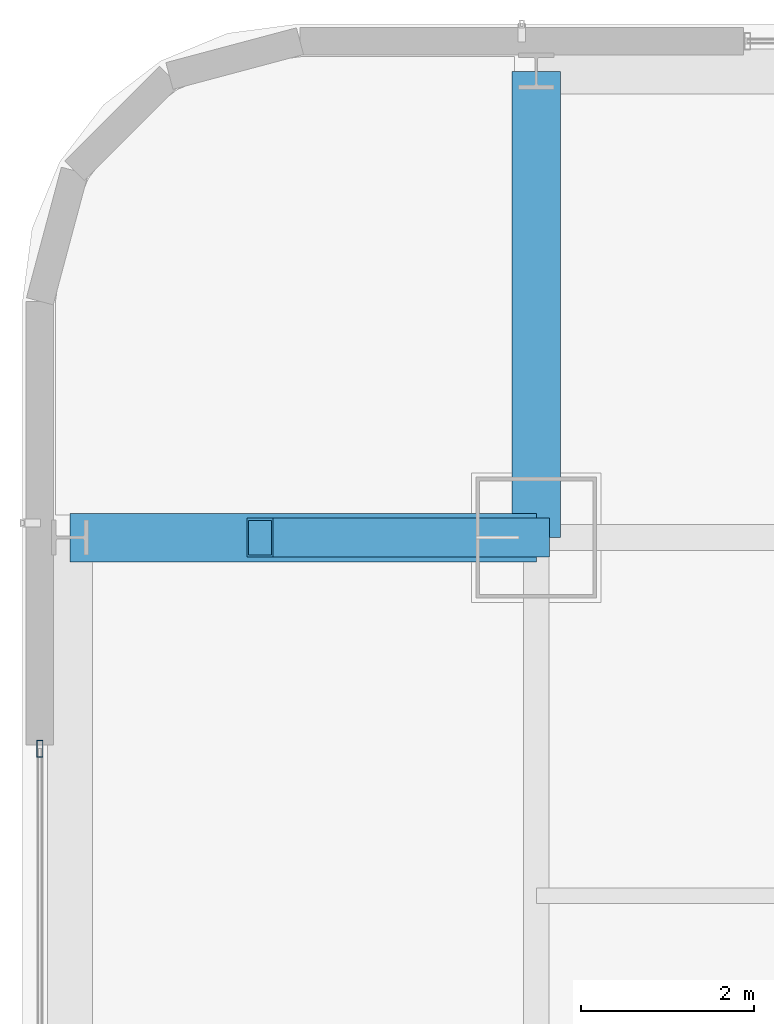
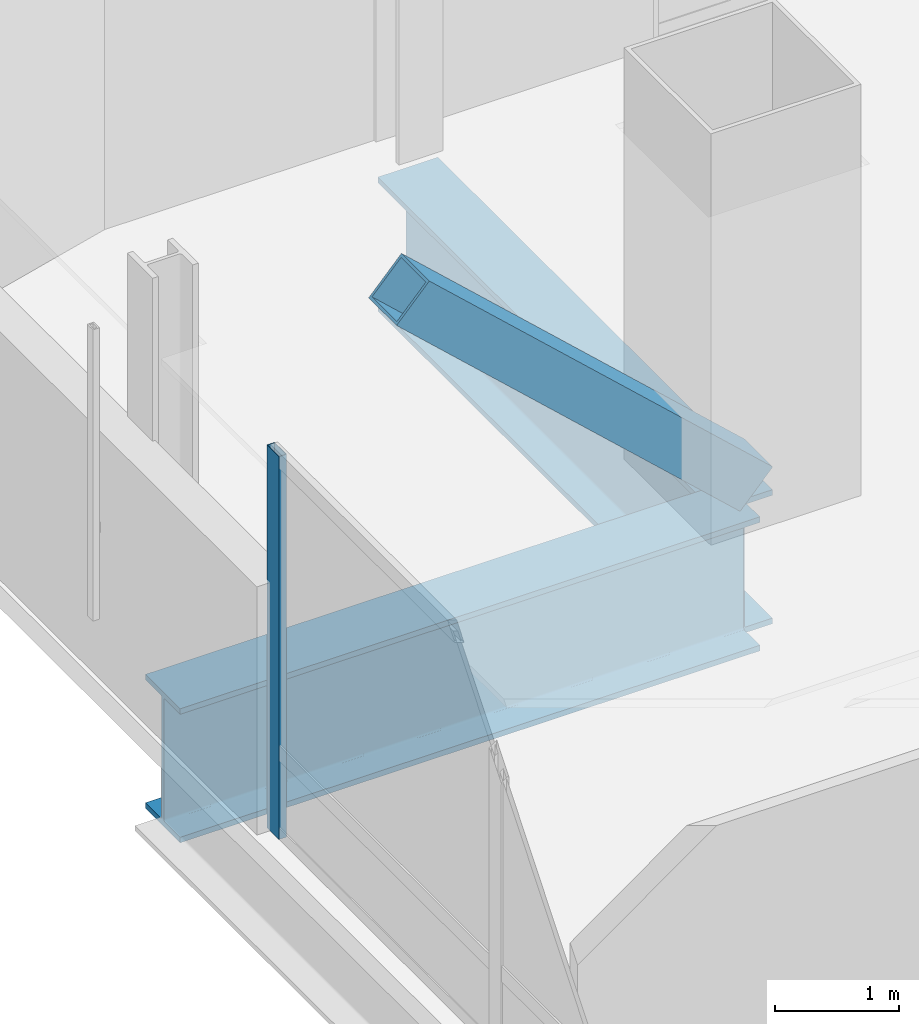
# One storey, part 20 of 47: 2 beams, 2 members, 1 element without a shape of its own.
"""IFC4 building model written with IfcOpenShell, lengths in metres."""

from ifc_helpers import new_model, si_unit, direction, frame, origin, origin_2d, place, context, subcontext, project, spatial, hollow_rectangle, i_section, extrude, material, material_profile, profile_set, type_object, element, aggregate, save


model = new_model("IFC4")

# Units and contexts
model_context = context("Model", 3, precision=1e-05, world=origin(), true_north=direction((0.0, 1.0)))
body_context = subcontext(model_context, "Body", "Model", "MODEL_VIEW")
ifc_project = project(units=[si_unit("LENGTHUNIT", "METRE"), si_unit("AREAUNIT", "SQUARE_METRE"), si_unit("VOLUMEUNIT", "CUBIC_METRE"), si_unit("PLANEANGLEUNIT", "RADIAN"), si_unit("MASSUNIT", "GRAM", prefix="KILO")], contexts=[model_context])

# Site, building, storey
site_placement = place(None, origin())
site = spatial("IfcSite", under=ifc_project, at=site_placement, CompositionType="ELEMENT")
building_placement = place(site_placement, origin())
building = spatial("IfcBuilding", under=site, at=building_placement, Name="Punatoya Terracotta Tower", CompositionType="ELEMENT")
storey_placement = place(building_placement, frame((0.0, 0.0, 168.14990234375)))
storey = spatial("IfcBuildingStorey", under=building, at=storey_placement, Name="L39", CompositionType="ELEMENT", Elevation=168.14990234375)

# Beams
ifc_material_1 = material(Name="Steel S460", Category="steel")
ifc_material_profile_1 = material_profile(ifc_material_1, i_section(OverallWidth=0.56005859375, OverallDepth=1.320068359375, WebThickness=0.035888671875, FlangeThickness=0.054931640625, FilletRadius=0.01806640625, at=origin_2d()))
ifc_profile_set_1 = profile_set([ifc_material_profile_1], Name="Steel S460")
beam_type = type_object("IfcBeamType", Name="BM-TG-BLK", PredefinedType="BEAM", material=ifc_profile_set_1)
for number, where, z_axis, x_axis, name in (
    (1, (-24.5, 17.5, -0.8798828125), (1.0, 0.0, 0.0), (0.0, 1.0, 0.0), "BM-L39-CANT-W4"),
    (2, (-19.10009765625, 17.5, -0.8798828125), (0.0, 1.0, 0.0), (-1.0, 0.0, 0.0), "BM-L39-CANT-N1"),
):
    element("IfcBeam", number, at=place(storey_placement, frame(where, z_axis=z_axis, x_axis=x_axis)), inside=storey, type_object=beam_type, Name=name, PredefinedType="BEAM", context=body_context, shape_type="SweptSolid", body=[
        extrude(i_section(OverallWidth=0.56005859375, OverallDepth=1.320068359375, WebThickness=0.035888671875, FlangeThickness=0.054931640625, FilletRadius=0.01806640625, at=origin_2d()), origin(), (0.0, 0.0, 1.0), 5.39990234375),
    ])

# Curtain wall, member
ifc_material_2 = material(Name="Aluminium 6063-T6 + Double Low-E Glass", Category="aluminium")
curtain_wall_type = type_object("IfcCurtainWallType", Name="CW-M2", PredefinedType="NOTDEFINED", material=ifc_material_2)
curtain_wall_placement = place(storey_placement, origin())
curtain_wall = element("IfcCurtainWall", 3, at=curtain_wall_placement, inside=storey, type_object=curtain_wall_type, Name="L39 Curtain Wall CW-L39-W13-1", PredefinedType="NOTDEFINED")
ifc_material_3 = material(Name="Aluminium 6063-T6", Category="aluminium")
ifc_material_profile_2 = material_profile(ifc_material_3, hollow_rectangle(XDim=0.072021484375, YDim=0.195068359375, WallThickness=0.00439453125, at=origin_2d()))
ifc_profile_set_2 = profile_set([ifc_material_profile_2], Name="Aluminium 6063-T6")
member_type_1 = type_object("IfcMemberType", Name="CW-MUL-M2", PredefinedType="MULLION", material=ifc_profile_set_2)
member_1_placement = place(storey_placement, frame((-24.85009765625, 15.054931640625, 0.0), z_axis=(0.0, 0.0, 1.0), x_axis=(1.0, 0.0, 0.0)))
member_1 = element("IfcMember", 4, at=member_1_placement, type_object=member_type_1, Name="CW-L39-W13-1 Mullion 00", PredefinedType="MULLION", context=body_context, shape_type="SweptSolid", body=[
    extrude(hollow_rectangle(XDim=0.072021484375, YDim=0.195068359375, WallThickness=0.00439453125, at=origin_2d()), origin(), (0.0, 0.0, 1.0), 3.77001953125),
])
aggregate(curtain_wall, [member_1])

# Member
ifc_material_profile_3 = material_profile(ifc_material_1, hollow_rectangle(XDim=0.449951171875, YDim=0.449951171875, WallThickness=0.02490234375, at=origin_2d()))
ifc_profile_set_3 = profile_set([ifc_material_profile_3], Name="Steel S460")
member_type_2 = type_object("IfcMemberType", Name="MEM-STR-450", PredefinedType="STRUT", material=ifc_profile_set_3)
member_2_placement = place(storey_placement, frame((-19.10009765625, 17.5, 0.02001953125), z_axis=(-0.735216213259, 0.0, 0.67783266354), x_axis=(0.0, -1.0, 0.0)))
element("IfcMember", 5, at=member_2_placement, inside=storey, type_object=member_type_2, Name="L40 Cantilever Raking Knee-Strut W2", PredefinedType="STRUT", context=body_context, shape_type="SweptSolid", body=[
    extrude(hollow_rectangle(XDim=0.449951171875, YDim=0.449951171875, WallThickness=0.02490234375, at=origin_2d()), origin(), (0.0, 0.0, 1.0), 4.352294921875),
])

save(model, "model.ifc")
